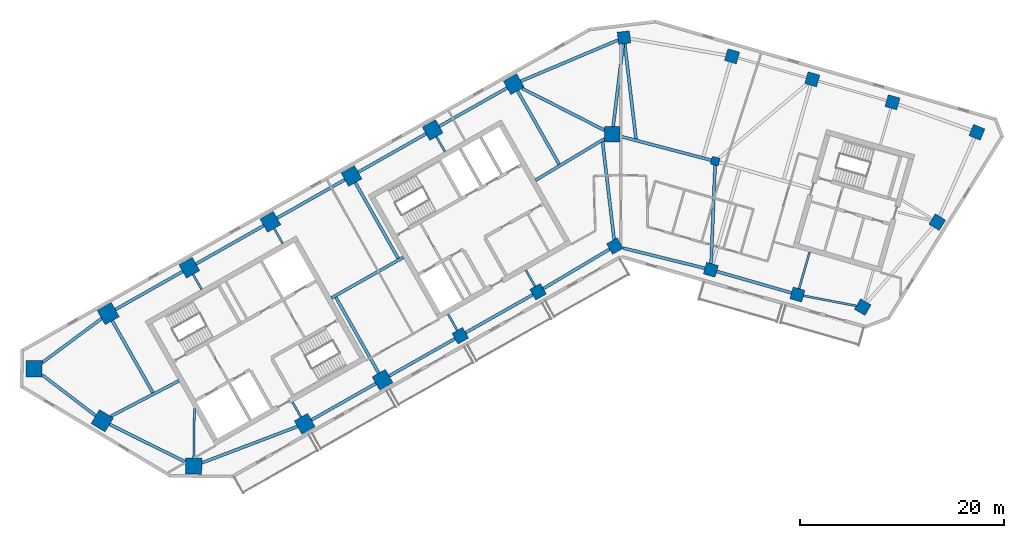
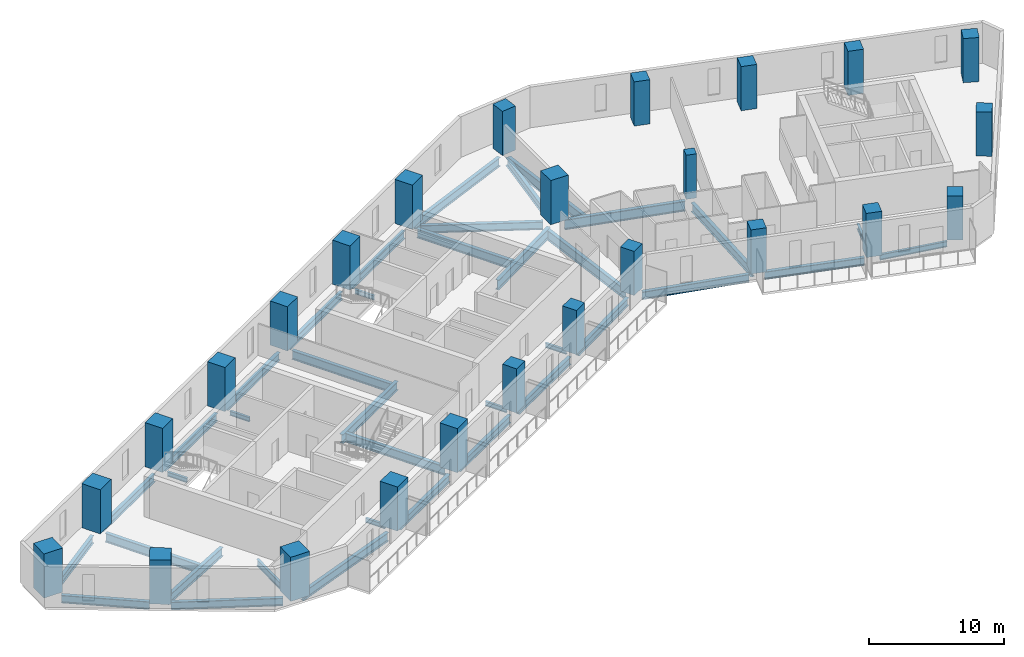
# One storey, part 1 of 9: 38 beams, 25 columns.
"""IFC4 building model written with IfcOpenShell, lengths in metres."""

from ifc_helpers import new_model, si_unit, direction, frame, origin, origin_2d, place, context, subcontext, project, spatial, rectangle, i_section, extrude, material, material_profile, profile_set, type_object, element, save


model = new_model("IFC4")

# Units and contexts
model_context = context("Model", 3, precision=1e-05, world=origin(), true_north=direction((0.0, 1.0)))
body_context = subcontext(model_context, "Body", "Model", "MODEL_VIEW")
ifc_project = project(units=[si_unit("LENGTHUNIT", "METRE"), si_unit("AREAUNIT", "SQUARE_METRE"), si_unit("VOLUMEUNIT", "CUBIC_METRE"), si_unit("PLANEANGLEUNIT", "RADIAN"), si_unit("MASSUNIT", "GRAM", prefix="KILO")], contexts=[model_context])

# Site, building, storey
site_placement = place(None, origin())
site = spatial("IfcSite", under=ifc_project, at=site_placement, CompositionType="ELEMENT")
building_placement = place(site_placement, origin())
building = spatial("IfcBuilding", under=site, at=building_placement, Name="Binnacle Exchange Tower", CompositionType="ELEMENT")
storey_placement = place(building_placement, frame((0.0, 0.0, 182.89990234375)))
storey = spatial("IfcBuildingStorey", under=building, at=storey_placement, Name="L39", CompositionType="ELEMENT", Elevation=182.89990234375)

# Columns
ifc_material_1 = material(Name="Concrete C60/75", Category="concrete")
ifc_material_profile_1 = material_profile(ifc_material_1, rectangle(XDim=0.800048828125, YDim=0.800048828125, at=origin_2d()), Name="Column 800x800 C60/75")
ifc_profile_set_1 = profile_set([ifc_material_profile_1], Name="Concrete C60/75")
column_type_1 = type_object("IfcColumnType", Name="Column 800x800 C60/75", PredefinedType="COLUMN", material=ifc_profile_set_1)
column_placement = place(storey_placement, frame((9.240966796875, 57.35009765625, 0.0), z_axis=(0.0, 0.0, 1.0), x_axis=(0.961261695938, -0.275637355817, 0.0)))
element("IfcColumn", 1, at=column_placement, inside=storey, type_object=column_type_1, Name="S:COL:C19:L39", PredefinedType="COLUMN", context=body_context, shape_type="SweptSolid", body=[
    extrude(rectangle(XDim=0.800048828125, YDim=0.800048828125, at=origin_2d()), origin(), (0.0, 0.0, 1.0), 4.0),
])
ifc_material_2 = material(Name="Concrete C70/85", Category="concrete")
ifc_material_profile_2 = material_profile(ifc_material_2, rectangle(XDim=1.199951171875, YDim=1.199951171875, at=origin_2d()), Name="Mega column 1200x1200 C70/85")
ifc_profile_set_2 = profile_set([ifc_material_profile_2], Name="Concrete C70/85")
column_type_2 = type_object("IfcColumnType", Name="Mega column 1200x1200 C70/85", PredefinedType="COLUMN", material=ifc_profile_set_2)
for number, where, z_axis, x_axis, name in (
    (2, (26.602783203125, 63.12353515625, 0.0), (0.0, 0.0, 1.0), (-0.961261695938, 0.275637355817, 0.0), "S:COL:MC52:L39"),
    (3, (18.746337890625, 65.376220703125, 0.0), (0.0, 0.0, 1.0), (-0.961261695938, 0.275637355817, 0.0), "S:COL:MC50:L39"),
    (4, (10.889892578125, 67.62890625, 0.0), (0.0, 0.0, 1.0), (-0.961261695938, 0.275637355817, 0.0), "S:COL:MC48:L39"),
    (5, (0.300048828125, 69.464111328125, 0.0), (0.0, 0.0, 1.0), (-0.993068456955, -0.117537397458, 0.0), "S:COL:MC47:L39"),
    (6, (-15.736328125, 40.257080078125, 0.0), (0.0, 0.0, 1.0), (0.87035569594, 0.492423560103, 0.0), "S:COL:MC24:L39"),
    (7, (-8.116943359375, 44.568115234375, 0.0), (0.0, 0.0, 1.0), (0.87035569594, 0.492423560103, 0.0), "S:COL:MC35:L39"),
    (8, (-0.5908203125, 49.04443359375, 0.0), (0.0, 0.0, 1.0), (0.87035569594, 0.492423560103, 0.0), "S:COL:MC46:L39"),
    (9, (8.8095703125, 46.722412109375, 0.0), (0.0, 0.0, 1.0), (0.961261695938, -0.275637355817, 0.0), "S:COL:MC49:L39"),
    (10, (17.2880859375, 44.291015625, 0.0), (0.0, 0.0, 1.0), (0.961261695938, -0.275637355817, 0.0), "S:COL:MC51:L39"),
    (11, (23.690185546875, 43.062744140625, 0.0), (0.0, 0.0, 1.0), (-0.86532642813, 0.501208711795, 0.0), "S:COL:MC53:L39"),
    (12, (30.989501953125, 51.38623046875, 0.0), (0.0, 0.0, 1.0), (0.529919264233, 0.848048096156, 0.0), "S:COL:MC55:L39"),
    (13, (34.870361328125, 60.18701171875, 0.0), (0.0, 0.0, 1.0), (-0.922814001807, 0.385245789164, 0.0), "S:COL:MC54:L39"),
):
    element("IfcColumn", number, at=place(storey_placement, frame(where, z_axis=z_axis, x_axis=x_axis)), inside=storey, type_object=column_type_2, Name=name, PredefinedType="COLUMN", context=body_context, shape_type="SweptSolid", body=[
        extrude(rectangle(XDim=1.199951171875, YDim=1.199951171875, at=origin_2d()), origin(), (0.0, 0.0, 1.0), 4.0),
    ])
ifc_material_profile_3 = material_profile(ifc_material_2, rectangle(XDim=1.5, YDim=1.5, at=origin_2d()), Name="Mega column 1500x1500 C70/85")
ifc_profile_set_3 = profile_set([ifc_material_profile_3], Name="Concrete C70/85")
column_type_3 = type_object("IfcColumnType", Name="Mega column 1500x1500 C70/85", PredefinedType="COLUMN", material=ifc_profile_set_3)
for number, where, z_axis, x_axis, name in (
    (14, (-10.4951171875, 64.901611328125, 0.0), (0.0, 0.0, 1.0), (-0.87035569594, -0.492423560103, 0.0), "S:COL:MC38:L39"),
    (15, (-18.44140625, 60.406005859375, 0.0), (0.0, 0.0, 1.0), (-0.87035569594, -0.492423560103, 0.0), "S:COL:MC29:L39"),
    (16, (-26.3876953125, 55.91015625, 0.0), (0.0, 0.0, 1.0), (-0.87035569594, -0.492423560103, 0.0), "S:COL:MC21:L39"),
    (17, (-34.333740234375, 51.414306640625, 0.0), (0.0, 0.0, 1.0), (-0.87035569594, -0.492423560103, 0.0), "S:COL:MC13:L39"),
    (18, (-42.280029296875, 46.918701171875, 0.0), (0.0, 0.0, 1.0), (-0.87035569594, -0.492423560103, 0.0), "S:COL:MC08:L39"),
    (19, (-30.9755859375, 31.63525390625, 0.0), (0.0, 0.0, 1.0), (0.87035569594, 0.492423560103, 0.0), "S:COL:MC07:L39"),
    (20, (-23.35595703125, 35.9462890625, 0.0), (0.0, 0.0, 1.0), (0.87035569594, 0.492423560103, 0.0), "S:COL:MC16:L39"),
    (21, (-0.85009765625, 60.0, 0.0), (0.0, 0.0, 1.0), (0.0, 1.0, 0.0), "S:COL:MC45:L39"),
):
    element("IfcColumn", number, at=place(storey_placement, frame(where, z_axis=z_axis, x_axis=x_axis)), inside=storey, type_object=column_type_3, Name=name, PredefinedType="COLUMN", context=body_context, shape_type="SweptSolid", body=[
        extrude(rectangle(XDim=1.5, YDim=1.5, at=origin_2d()), origin(), (0.0, 0.0, 1.0), 4.0),
    ])
ifc_material_profile_4 = material_profile(ifc_material_2, rectangle(XDim=1.60009765625, YDim=1.60009765625, at=origin_2d()), Name="Mega column 1600x1600 C70/85")
ifc_profile_set_4 = profile_set([ifc_material_profile_4], Name="Concrete C70/85")
column_type_4 = type_object("IfcColumnType", Name="Mega column 1600x1600 C70/85", PredefinedType="COLUMN", material=ifc_profile_set_4)
for number, where, z_axis, x_axis, name in (
    (22, (-50.226318359375, 42.4228515625, 0.0), (0.0, 0.0, 1.0), (-0.87035569594, -0.492423560103, 0.0), "S:COL:MC04:L39"),
    (23, (-57.492919921875, 37.02734375, 0.0), (0.0, 0.0, 1.0), (-0.013089595571, -0.999914327574, 0.0), "S:COL:MC02:L39"),
    (24, (-50.81201171875, 31.930908203125, 0.0), (0.0, 0.0, 1.0), (0.857167300702, -0.51503807491, 0.0), "S:COL:MC01:L39"),
    (25, (-41.857666015625, 27.494873046875, 0.0), (0.0, 0.0, 1.0), (0.999914327574, -0.013089595571, 0.0), "S:COL:MC03:L39"),
):
    element("IfcColumn", number, at=place(storey_placement, frame(where, z_axis=z_axis, x_axis=x_axis)), inside=storey, type_object=column_type_4, Name=name, PredefinedType="COLUMN", context=body_context, shape_type="SweptSolid", body=[
        extrude(rectangle(XDim=1.60009765625, YDim=1.60009765625, at=origin_2d()), origin(), (0.0, 0.0, 1.0), 4.0),
    ])

# Beams
ifc_material_3 = material(Name="Steel S355 (SHN355)", Category="steel")
ifc_material_profile_5 = material_profile(ifc_material_3, i_section(OverallWidth=0.200927734375, OverallDepth=0.506103515625, WebThickness=0.010986328125, FlangeThickness=0.01904296875, FilletRadius=0.02001953125, at=origin_2d()), Name="H 506x201x11x19")
ifc_profile_set_5 = profile_set([ifc_material_profile_5], Name="Steel S355 (SHN355)")
beam_type_1 = type_object("IfcBeamType", Name="Edge girder H 506x201x11x19 Steel S355 (SHN355)", PredefinedType="SPANDREL", material=ifc_profile_set_5)
beam_1_placement = place(storey_placement, frame((17.8798828125, 44.177490234375, -0.572998046875), z_axis=(0.982085171807, -0.188437563446, 0.0), x_axis=(0.188437563446, 0.982085171807, 0.0)))
element("IfcBeam", 26, at=beam_1_placement, inside=storey, type_object=beam_type_1, Name="S:BM:edge:L39:028", PredefinedType="SPANDREL", context=body_context, shape_type="SweptSolid", body=[
    extrude(i_section(OverallWidth=0.200927734375, OverallDepth=0.506103515625, WebThickness=0.010986328125, FlangeThickness=0.01904296875, FilletRadius=0.02001953125, at=origin_2d()), origin(), (0.0, 0.0, 1.0), 5.281005859375),
])
ifc_material_profile_6 = material_profile(ifc_material_3, i_section(OverallWidth=0.300048828125, OverallDepth=0.699951171875, WebThickness=0.012939453125, FlangeThickness=0.02392578125, FilletRadius=0.028076171875, at=origin_2d()), Name="H 700x300x13x24")
ifc_profile_set_6 = profile_set([ifc_material_profile_6], Name="Steel S355 (SHN355)")
beam_type_2 = type_object("IfcBeamType", Name="Edge girder H 700x300x13x24 Steel S355 (SHN355)", PredefinedType="SPANDREL", material=ifc_profile_set_6)
beam_2_placement = place(storey_placement, frame((-56.70068359375, 36.423095703125, -0.669921875), z_axis=(0.795078424379, -0.606506635649, 0.0), x_axis=(0.606506635649, 0.795078424379, 0.0)))
element("IfcBeam", 27, at=beam_2_placement, inside=storey, type_object=beam_type_2, Name="S:BM:edge:L39:011", PredefinedType="SPANDREL", context=body_context, shape_type="SweptSolid", body=[
    extrude(i_section(OverallWidth=0.300048828125, OverallDepth=0.699951171875, WebThickness=0.012939453125, FlangeThickness=0.02392578125, FilletRadius=0.028076171875, at=origin_2d()), origin(), (0.0, 0.0, 1.0), 6.6015625),
])
beam_3_placement = place(storey_placement, frame((-50.87353515625, 41.9423828125, -0.669921875), z_axis=(-0.802872533272, -0.596150732044, 0.0), x_axis=(0.596150732044, -0.802872533272, 0.0)))
element("IfcBeam", 28, at=beam_3_placement, inside=storey, type_object=beam_type_2, Name="S:BM:edge:L39:012", PredefinedType="SPANDREL", context=body_context, shape_type="SweptSolid", body=[
    extrude(i_section(OverallWidth=0.300048828125, OverallDepth=0.699951171875, WebThickness=0.012939453125, FlangeThickness=0.02392578125, FilletRadius=0.028076171875, at=origin_2d()), origin(), (0.0, 0.0, 1.0), 7.238525390625),
])
beam_4_placement = place(storey_placement, frame((-50.0927734375, 31.57470703125, -0.669921875), z_axis=(0.896061869104, -0.443929191131, 0.0), x_axis=(0.443929191131, 0.896061869104, 0.0)))
element("IfcBeam", 29, at=beam_4_placement, inside=storey, type_object=beam_type_2, Name="S:BM:edge:L39:013", PredefinedType="SPANDREL", context=body_context, shape_type="SweptSolid", body=[
    extrude(i_section(OverallWidth=0.300048828125, OverallDepth=0.699951171875, WebThickness=0.012939453125, FlangeThickness=0.02392578125, FilletRadius=0.028076171875, at=origin_2d()), origin(), (0.0, 0.0, 1.0), 8.30322265625),
])
beam_5_placement = place(storey_placement, frame((-42.932861328125, 46.54931640625, -0.669921875), z_axis=(-0.870352192811, -0.492429751811, 0.0), x_axis=(0.492429751811, -0.870352192811, 0.0)))
element("IfcBeam", 30, at=beam_5_placement, inside=storey, type_object=beam_type_2, Name="S:BM:edge:L39:014", PredefinedType="SPANDREL", context=body_context, shape_type="SweptSolid", body=[
    extrude(i_section(OverallWidth=0.300048828125, OverallDepth=0.699951171875, WebThickness=0.012939453125, FlangeThickness=0.02392578125, FilletRadius=0.028076171875, at=origin_2d()), origin(), (0.0, 0.0, 1.0), 7.57958984375),
])
beam_6_placement = place(storey_placement, frame((-34.986572265625, 51.045166015625, -0.669921875), z_axis=(-0.870355964277, -0.492423085818, 0.0), x_axis=(0.492423085818, -0.870355964277, 0.0)))
element("IfcBeam", 31, at=beam_6_placement, inside=storey, type_object=beam_type_2, Name="S:BM:edge:L39:016", PredefinedType="SPANDREL", context=body_context, shape_type="SweptSolid", body=[
    extrude(i_section(OverallWidth=0.300048828125, OverallDepth=0.699951171875, WebThickness=0.012939453125, FlangeThickness=0.02392578125, FilletRadius=0.028076171875, at=origin_2d()), origin(), (0.0, 0.0, 1.0), 7.6298828125),
])
beam_7_placement = place(storey_placement, frame((-30.32275390625, 32.004638671875, -0.669921875), z_axis=(0.870355920795, 0.492423162674, 0.0), x_axis=(-0.492423162674, 0.870355920795, 0.0)))
element("IfcBeam", 32, at=beam_7_placement, inside=storey, type_object=beam_type_2, Name="S:BM:edge:L39:017", PredefinedType="SPANDREL", context=body_context, shape_type="SweptSolid", body=[
    extrude(i_section(OverallWidth=0.300048828125, OverallDepth=0.699951171875, WebThickness=0.012939453125, FlangeThickness=0.02392578125, FilletRadius=0.028076171875, at=origin_2d()), origin(), (0.0, 0.0, 1.0), 7.25439453125),
])
beam_8_placement = place(storey_placement, frame((-27.040283203125, 55.541015625, -0.669921875), z_axis=(-0.870342250182, -0.492447324643, 0.0), x_axis=(0.492447324643, -0.870342250182, 0.0)))
element("IfcBeam", 33, at=beam_8_placement, inside=storey, type_object=beam_type_2, Name="S:BM:edge:L39:018", PredefinedType="SPANDREL", context=body_context, shape_type="SweptSolid", body=[
    extrude(i_section(OverallWidth=0.300048828125, OverallDepth=0.699951171875, WebThickness=0.012939453125, FlangeThickness=0.02392578125, FilletRadius=0.028076171875, at=origin_2d()), origin(), (0.0, 0.0, 1.0), 7.6298828125),
])
beam_9_placement = place(storey_placement, frame((-22.703125, 36.3154296875, -0.669921875), z_axis=(0.87035151347, 0.49243095252, 0.0), x_axis=(-0.49243095252, 0.87035151347, 0.0)))
element("IfcBeam", 34, at=beam_9_placement, inside=storey, type_object=beam_type_2, Name="S:BM:edge:L39:019", PredefinedType="SPANDREL", context=body_context, shape_type="SweptSolid", body=[
    extrude(i_section(OverallWidth=0.300048828125, OverallDepth=0.699951171875, WebThickness=0.012939453125, FlangeThickness=0.02392578125, FilletRadius=0.028076171875, at=origin_2d()), origin(), (0.0, 0.0, 1.0), 7.404541015625),
])
beam_10_placement = place(storey_placement, frame((-19.093994140625, 60.03662109375, -0.669921875), z_axis=(-0.870363722936, -0.492409372165, 0.0), x_axis=(0.492409372165, -0.870363722936, 0.0)))
element("IfcBeam", 35, at=beam_10_placement, inside=storey, type_object=beam_type_2, Name="S:BM:edge:L39:020", PredefinedType="SPANDREL", context=body_context, shape_type="SweptSolid", body=[
    extrude(i_section(OverallWidth=0.300048828125, OverallDepth=0.699951171875, WebThickness=0.012939453125, FlangeThickness=0.02392578125, FilletRadius=0.028076171875, at=origin_2d()), origin(), (0.0, 0.0, 1.0), 7.6298828125),
])
beam_11_placement = place(storey_placement, frame((-15.214111328125, 40.552734375, -0.669921875), z_axis=(0.870353295418, 0.492427802988, 0.0), x_axis=(-0.492427802988, 0.870353295418, 0.0)))
element("IfcBeam", 36, at=beam_11_placement, inside=storey, type_object=beam_type_2, Name="S:BM:edge:L39:021", PredefinedType="SPANDREL", context=body_context, shape_type="SweptSolid", body=[
    extrude(i_section(OverallWidth=0.300048828125, OverallDepth=0.699951171875, WebThickness=0.012939453125, FlangeThickness=0.02392578125, FilletRadius=0.028076171875, at=origin_2d()), origin(), (0.0, 0.0, 1.0), 7.554443359375),
])
beam_12_placement = place(storey_placement, frame((-11.14794921875, 64.532470703125, -0.669921875), z_axis=(-0.870355964277, -0.492423085818, 0.0), x_axis=(0.492423085818, -0.870355964277, 0.0)))
element("IfcBeam", 37, at=beam_12_placement, inside=storey, type_object=beam_type_2, Name="S:BM:edge:L39:022", PredefinedType="SPANDREL", context=body_context, shape_type="SweptSolid", body=[
    extrude(i_section(OverallWidth=0.300048828125, OverallDepth=0.699951171875, WebThickness=0.012939453125, FlangeThickness=0.02392578125, FilletRadius=0.028076171875, at=origin_2d()), origin(), (0.0, 0.0, 1.0), 7.6298828125),
])
beam_13_placement = place(storey_placement, frame((-7.60107421875, 44.875, -0.669921875), z_axis=(0.85946222832, 0.511199254783, 0.0), x_axis=(-0.511199254783, 0.85946222832, 0.0)))
element("IfcBeam", 38, at=beam_13_placement, inside=storey, type_object=beam_type_2, Name="S:BM:edge:L39:023", PredefinedType="SPANDREL", context=body_context, shape_type="SweptSolid", body=[
    extrude(i_section(OverallWidth=0.300048828125, OverallDepth=0.699951171875, WebThickness=0.012939453125, FlangeThickness=0.02392578125, FilletRadius=0.028076171875, at=origin_2d()), origin(), (0.0, 0.0, 1.0), 7.556396484375),
])
beam_14_placement = place(storey_placement, frame((0.21044921875, 48.846435546875, -0.669921875), z_axis=(0.970817017645, -0.239821429924, 0.0), x_axis=(0.239821429924, 0.970817017645, 0.0)))
element("IfcBeam", 39, at=beam_14_placement, inside=storey, type_object=beam_type_2, Name="S:BM:edge:L39:025", PredefinedType="SPANDREL", context=body_context, shape_type="SweptSolid", body=[
    extrude(i_section(OverallWidth=0.300048828125, OverallDepth=0.699951171875, WebThickness=0.012939453125, FlangeThickness=0.02392578125, FilletRadius=0.028076171875, at=origin_2d()), origin(), (0.0, 0.0, 1.0), 8.257080078125),
])
beam_15_placement = place(storey_placement, frame((9.38623046875, 46.556884765625, -0.669921875), z_axis=(0.961266012815, -0.275622300635, 0.0), x_axis=(0.275622300635, 0.961266012815, 0.0)))
element("IfcBeam", 40, at=beam_15_placement, inside=storey, type_object=beam_type_2, Name="S:BM:edge:L39:026", PredefinedType="SPANDREL", context=body_context, shape_type="SweptSolid", body=[
    extrude(i_section(OverallWidth=0.300048828125, OverallDepth=0.699951171875, WebThickness=0.012939453125, FlangeThickness=0.02392578125, FilletRadius=0.028076171875, at=origin_2d()), origin(), (0.0, 0.0, 1.0), 7.620361328125),
])
ifc_material_profile_7 = material_profile(ifc_material_3, i_section(OverallWidth=0.300048828125, OverallDepth=0.800048828125, WebThickness=0.013916015625, FlangeThickness=0.02587890625, FilletRadius=0.028076171875, at=origin_2d()), Name="H 800x300x14x26")
ifc_profile_set_7 = profile_set([ifc_material_profile_7], Name="Steel S355 (SHN355)")
beam_type_3 = type_object("IfcBeamType", Name="Edge girder H 800x300x14x26 Steel S355 (SHN355)", PredefinedType="SPANDREL", material=ifc_profile_set_7)
beam_16_placement = place(storey_placement, frame((-41.0537109375, 27.80078125, -0.719970703125), z_axis=(0.934633884233, 0.355611448695, 0.0), x_axis=(-0.355611448695, 0.934633884233, 0.0)))
element("IfcBeam", 41, at=beam_16_placement, inside=storey, type_object=beam_type_3, Name="S:BM:edge:L39:015", PredefinedType="SPANDREL", context=body_context, shape_type="SweptSolid", body=[
    extrude(i_section(OverallWidth=0.300048828125, OverallDepth=0.800048828125, WebThickness=0.013916015625, FlangeThickness=0.02587890625, FilletRadius=0.028076171875, at=origin_2d()), origin(), (0.0, 0.0, 1.0), 10.024169921875),
])
beam_17_placement = place(storey_placement, frame((-0.275390625, 69.220947265625, -0.719970703125), z_axis=(-0.921111875234, -0.389297974953, 0.0), x_axis=(0.389297974953, -0.921111875234, 0.0)))
element("IfcBeam", 42, at=beam_17_placement, inside=storey, type_object=beam_type_3, Name="S:BM:edge:L39:024", PredefinedType="SPANDREL", context=body_context, shape_type="SweptSolid", body=[
    extrude(i_section(OverallWidth=0.300048828125, OverallDepth=0.800048828125, WebThickness=0.013916015625, FlangeThickness=0.02587890625, FilletRadius=0.028076171875, at=origin_2d()), origin(), (0.0, 0.0, 1.0), 10.340087890625),
])
ifc_material_profile_8 = material_profile(ifc_material_3, i_section(OverallWidth=0.199951171875, OverallDepth=0.39990234375, WebThickness=0.008056640625, FlangeThickness=0.012939453125, FilletRadius=0.01611328125, at=origin_2d()), Name="H 400x200x8x13")
ifc_profile_set_8 = profile_set([ifc_material_profile_8], Name="Steel S355 (SHN355)")
beam_type_4 = type_object("IfcBeamType", Name="Floor beam H 400x200x8x13 Steel S355 (SHN355)", PredefinedType="BEAM", material=ifc_profile_set_8)
beam_18_placement = place(storey_placement, frame((-41.91064453125, 46.265869140625, -0.52001953125), z_axis=(0.49243456751, -0.870349468157, 0.0), x_axis=(0.870349468157, 0.49243456751, 0.0)))
element("IfcBeam", 43, at=beam_18_placement, inside=storey, type_object=beam_type_4, Name="S:BM:cross:L39:035", PredefinedType="BEAM", context=body_context, shape_type="SweptSolid", body=[
    extrude(i_section(OverallWidth=0.199951171875, OverallDepth=0.39990234375, WebThickness=0.008056640625, FlangeThickness=0.012939453125, FilletRadius=0.01611328125, at=origin_2d()), origin(), (0.0, 0.0, 1.0), 1.68408203125),
])
beam_19_placement = place(storey_placement, frame((-33.964599609375, 50.76171875, -0.52001953125), z_axis=(0.492482237839, -0.870322495063, 0.0), x_axis=(0.870322495063, 0.492482237839, 0.0)))
element("IfcBeam", 44, at=beam_19_placement, inside=storey, type_object=beam_type_4, Name="S:BM:cross:L39:037", PredefinedType="BEAM", context=body_context, shape_type="SweptSolid", body=[
    extrude(i_section(OverallWidth=0.199951171875, OverallDepth=0.39990234375, WebThickness=0.008056640625, FlangeThickness=0.012939453125, FilletRadius=0.01611328125, at=origin_2d()), origin(), (0.0, 0.0, 1.0), 1.6845703125),
])
for number, where, z_axis, x_axis, name in (
    (45, (-31.344970703125, 32.2880859375, -0.52001953125), (-0.49243456751, 0.870349468157, 0.0), (-0.870349468157, -0.49243456751, 0.0), "S:BM:cross:L39:038"),
    (46, (-18.072021484375, 59.753173828125, -0.52001953125), (0.49243456751, -0.870349468157, 0.0), (0.870349468157, 0.49243456751, 0.0), "S:BM:cross:L39:041"),
):
    element("IfcBeam", number, at=place(storey_placement, frame(where, z_axis=z_axis, x_axis=x_axis)), inside=storey, type_object=beam_type_4, Name=name, PredefinedType="BEAM", context=body_context, shape_type="SweptSolid", body=[
        extrude(i_section(OverallWidth=0.199951171875, OverallDepth=0.39990234375, WebThickness=0.008056640625, FlangeThickness=0.012939453125, FilletRadius=0.01611328125, at=origin_2d()), origin(), (0.0, 0.0, 1.0), 1.68408203125),
    ])
beam_20_placement = place(storey_placement, frame((-16.031982421875, 40.779296875, -0.52001953125), z_axis=(-0.492307212856, 0.870421511781, 0.0), x_axis=(-0.870421511781, -0.492307212856, 0.0)))
element("IfcBeam", 47, at=beam_20_placement, inside=storey, type_object=beam_type_4, Name="S:BM:cross:L39:042", PredefinedType="BEAM", context=body_context, shape_type="SweptSolid", body=[
    extrude(i_section(OverallWidth=0.199951171875, OverallDepth=0.39990234375, WebThickness=0.008056640625, FlangeThickness=0.012939453125, FilletRadius=0.01611328125, at=origin_2d()), origin(), (0.0, 0.0, 1.0), 1.83447265625),
])
beam_21_placement = place(storey_placement, frame((-8.412353515625, 45.09033203125, -0.52001953125), z_axis=(-0.492465079532, 0.87033220407, 0.0), x_axis=(-0.87033220407, -0.492465079532, 0.0)))
element("IfcBeam", 48, at=beam_21_placement, inside=storey, type_object=beam_type_4, Name="S:BM:cross:L39:044", PredefinedType="BEAM", context=body_context, shape_type="SweptSolid", body=[
    extrude(i_section(OverallWidth=0.199951171875, OverallDepth=0.39990234375, WebThickness=0.008056640625, FlangeThickness=0.012939453125, FilletRadius=0.01611328125, at=origin_2d()), origin(), (0.0, 0.0, 1.0), 1.834228515625),
])
ifc_material_profile_9 = material_profile(ifc_material_3, i_section(OverallWidth=0.199951171875, OverallDepth=0.5, WebThickness=0.010009765625, FlangeThickness=0.01611328125, FilletRadius=0.02001953125, at=origin_2d()), Name="H 500x200x10x16")
ifc_profile_set_9 = profile_set([ifc_material_profile_9], Name="Steel S355 (SHN355)")
beam_type_5 = type_object("IfcBeamType", Name="Floor beam H 500x200x10x16 Steel S355 (SHN355)", PredefinedType="BEAM", material=ifc_profile_set_9)
beam_22_placement = place(storey_placement, frame((17.45361328125, 44.867919921875, -0.56982421875), z_axis=(0.275644746045, 0.961259576794, 0.0), x_axis=(-0.961259576794, 0.275644746045, 0.0)))
element("IfcBeam", 49, at=beam_22_placement, inside=storey, type_object=beam_type_5, Name="S:BM:cross:L39:049", PredefinedType="BEAM", context=body_context, shape_type="SweptSolid", body=[
    extrude(i_section(OverallWidth=0.199951171875, OverallDepth=0.5, WebThickness=0.010009765625, FlangeThickness=0.01611328125, FilletRadius=0.02001953125, at=origin_2d()), origin(), (0.0, 0.0, 1.0), 3.735107421875),
])
ifc_material_profile_10 = material_profile(ifc_material_3, i_section(OverallWidth=0.200927734375, OverallDepth=0.60595703125, WebThickness=0.011962890625, FlangeThickness=0.02001953125, FilletRadius=0.02197265625, at=origin_2d()), Name="H 606x201x12x20")
ifc_profile_set_10 = profile_set([ifc_material_profile_10], Name="Steel S355 (SHN355)")
beam_type_6 = type_object("IfcBeamType", Name="Floor beam H 606x201x12x20 Steel S355 (SHN355)", PredefinedType="BEAM", material=ifc_profile_set_10)
beam_23_placement = place(storey_placement, frame((-41.84716796875, 28.294677734375, -0.622802734375), z_axis=(0.013085908175, 0.999914375838, 0.0), x_axis=(-0.999914375838, 0.013085908175, 0.0)))
element("IfcBeam", 50, at=beam_23_placement, inside=storey, type_object=beam_type_6, Name="S:BM:cross:L39:036", PredefinedType="BEAM", context=body_context, shape_type="SweptSolid", body=[
    extrude(i_section(OverallWidth=0.200927734375, OverallDepth=0.60595703125, WebThickness=0.011962890625, FlangeThickness=0.02001953125, FilletRadius=0.02197265625, at=origin_2d()), origin(), (0.0, 0.0, 1.0), 4.850830078125),
])
ifc_material_profile_11 = material_profile(ifc_material_3, i_section(OverallWidth=0.302001953125, OverallDepth=0.80810546875, WebThickness=0.01611328125, FlangeThickness=0.030029296875, FilletRadius=0.028076171875, at=origin_2d()), Name="H 808x302x16x30")
ifc_profile_set_11 = profile_set([ifc_material_profile_11], Name="Steel S355 (SHN355)")
beam_type_7 = type_object("IfcBeamType", Name="Floor beam H 808x302x16x30 Steel S355 (SHN355)", PredefinedType="BEAM", material=ifc_profile_set_11)
beam_24_placement = place(storey_placement, frame((-49.832275390625, 41.7265625, -0.723876953125), z_axis=(0.492430056331, -0.870352020519, 0.0), x_axis=(0.870352020519, 0.492430056331, 0.0)))
element("IfcBeam", 51, at=beam_24_placement, inside=storey, type_object=beam_type_7, Name="S:BM:cross:L39:034", PredefinedType="BEAM", context=body_context, shape_type="SweptSolid", body=[
    extrude(i_section(OverallWidth=0.302001953125, OverallDepth=0.80810546875, WebThickness=0.01611328125, FlangeThickness=0.030029296875, FilletRadius=0.028076171875, at=origin_2d()), origin(), (0.0, 0.0, 1.0), 8.09130859375),
])
for number, where, z_axis, x_axis, name in (
    (52, (-26.018310546875, 55.25732421875, -0.723876953125), (0.4924220214, -0.870356566495, 0.0), (0.870356566495, 0.4924220214, 0.0), "S:BM:cross:L39:039"),
    (53, (-23.725341796875, 36.59912109375, -0.723876953125), (-0.4924220214, 0.870356566495, 0.0), (-0.870356566495, -0.4924220214, 0.0), "S:BM:cross:L39:040"),
):
    element("IfcBeam", number, at=place(storey_placement, frame(where, z_axis=z_axis, x_axis=x_axis)), inside=storey, type_object=beam_type_7, Name=name, PredefinedType="BEAM", context=body_context, shape_type="SweptSolid", body=[
        extrude(i_section(OverallWidth=0.302001953125, OverallDepth=0.80810546875, WebThickness=0.01611328125, FlangeThickness=0.030029296875, FilletRadius=0.028076171875, at=origin_2d()), origin(), (0.0, 0.0, 1.0), 8.5341796875),
    ])
beam_25_placement = place(storey_placement, frame((-10.125732421875, 64.248779296875, -0.723876953125), z_axis=(0.492423973828, -0.870355461866, 0.0), x_axis=(0.870355461866, 0.492423973828, 0.0)))
element("IfcBeam", 54, at=beam_25_placement, inside=storey, type_object=beam_type_7, Name="S:BM:cross:L39:043", PredefinedType="BEAM", context=body_context, shape_type="SweptSolid", body=[
    extrude(i_section(OverallWidth=0.302001953125, OverallDepth=0.80810546875, WebThickness=0.01611328125, FlangeThickness=0.030029296875, FilletRadius=0.028076171875, at=origin_2d()), origin(), (0.0, 0.0, 1.0), 8.269287109375),
])
ifc_material_profile_12 = material_profile(ifc_material_3, i_section(OverallWidth=0.302001953125, OverallDepth=0.912109375, WebThickness=0.01806640625, FlangeThickness=0.033935546875, FilletRadius=0.028076171875, at=origin_2d()), Name="H 912x302x18x34")
ifc_profile_set_12 = profile_set([ifc_material_profile_12], Name="Steel S355 (SHN355)")
beam_type_8 = type_object("IfcBeamType", Name="Floor beam H 912x302x18x34 Steel S355 (SHN355)", PredefinedType="BEAM", material=ifc_profile_set_12)
beam_26_placement = place(storey_placement, frame((-0.66748046875, 49.690673828125, -0.77587890625), z_axis=(-0.117518220547, 0.993070726504, 0.0), x_axis=(-0.993070726504, -0.117518220547, 0.0)))
element("IfcBeam", 55, at=beam_26_placement, inside=storey, type_object=beam_type_8, Name="S:BM:cross:L39:045", PredefinedType="BEAM", context=body_context, shape_type="SweptSolid", body=[
    extrude(i_section(OverallWidth=0.302001953125, OverallDepth=0.912109375, WebThickness=0.01806640625, FlangeThickness=0.033935546875, FilletRadius=0.028076171875, at=origin_2d()), origin(), (0.0, 0.0, 1.0), 9.645751953125),
])
beam_27_placement = place(storey_placement, frame((0.37060546875, 68.868408203125, -0.77587890625), z_axis=(0.117552497625, -0.993066669616, 0.0), x_axis=(0.993066669616, 0.117552497625, 0.0)))
element("IfcBeam", 56, at=beam_27_placement, inside=storey, type_object=beam_type_8, Name="S:BM:cross:L39:046", PredefinedType="BEAM", context=body_context, shape_type="SweptSolid", body=[
    extrude(i_section(OverallWidth=0.302001953125, OverallDepth=0.912109375, WebThickness=0.01806640625, FlangeThickness=0.033935546875, FilletRadius=0.028076171875, at=origin_2d()), origin(), (0.0, 0.0, 1.0), 9.39990234375),
])
ifc_material_profile_13 = material_profile(ifc_material_3, i_section(OverallWidth=0.300048828125, OverallDepth=0.699951171875, WebThickness=0.012939453125, FlangeThickness=0.02392578125, FilletRadius=0.028076171875, at=origin_2d()), Name="H 700x300x13x24")
ifc_profile_set_13 = profile_set([ifc_material_profile_13], Name="Steel S355 (SHN355)")
beam_type_9 = type_object("IfcBeamType", Name="Spine girder H 700x300x13x24 Steel S355 (SHN355)", PredefinedType="BEAM", material=ifc_profile_set_13)
beam_28_placement = place(storey_placement, frame((-0.7587890625, 60.75, -0.669921875), z_axis=(0.120620829002, 0.992698652971, 0.0), x_axis=(-0.992698652971, 0.120620829002, 0.0)))
element("IfcBeam", 57, at=beam_28_placement, inside=storey, type_object=beam_type_9, Name="S:BM:spine:L39:005", PredefinedType="BEAM", context=body_context, shape_type="SweptSolid", body=[
    extrude(i_section(OverallWidth=0.300048828125, OverallDepth=0.699951171875, WebThickness=0.012939453125, FlangeThickness=0.02392578125, FilletRadius=0.028076171875, at=origin_2d()), origin(), (0.0, 0.0, 1.0), 8.160888671875),
])
ifc_material_profile_14 = material_profile(ifc_material_3, i_section(OverallWidth=0.302001953125, OverallDepth=0.7080078125, WebThickness=0.014892578125, FlangeThickness=0.028076171875, FilletRadius=0.028076171875, at=origin_2d()), Name="H 708x302x15x28")
ifc_profile_set_14 = profile_set([ifc_material_profile_14], Name="Steel S355 (SHN355)")
beam_type_10 = type_object("IfcBeamType", Name="Spine girder H 708x302x15x28 Steel S355 (SHN355)", PredefinedType="BEAM", material=ifc_profile_set_14)
beam_29_placement = place(storey_placement, frame((-1.60009765625, 60.381103515625, -0.673828125), z_axis=(-0.891476459322, 0.453067017641, 0.0), x_axis=(-0.453067017641, -0.891476459322, 0.0)))
element("IfcBeam", 58, at=beam_29_placement, inside=storey, type_object=beam_type_10, Name="S:BM:spine:L39:004", PredefinedType="BEAM", context=body_context, shape_type="SweptSolid", body=[
    extrude(i_section(OverallWidth=0.302001953125, OverallDepth=0.7080078125, WebThickness=0.014892578125, FlangeThickness=0.028076171875, FilletRadius=0.028076171875, at=origin_2d()), origin(), (0.0, 0.0, 1.0), 9.07763671875),
])
ifc_material_profile_15 = material_profile(ifc_material_3, i_section(OverallWidth=0.302001953125, OverallDepth=0.80810546875, WebThickness=0.01611328125, FlangeThickness=0.030029296875, FilletRadius=0.028076171875, at=origin_2d()), Name="H 808x302x16x30")
ifc_profile_set_15 = profile_set([ifc_material_profile_15], Name="Steel S355 (SHN355)")
beam_type_11 = type_object("IfcBeamType", Name="Spine girder H 808x302x16x30 Steel S355 (SHN355)", PredefinedType="BEAM", material=ifc_profile_set_15)
beam_30_placement = place(storey_placement, frame((-49.979736328125, 32.3642578125, -0.723876953125), z_axis=(0.886978621009, 0.461810486968, 0.0), x_axis=(-0.461810486968, 0.886978621009, 0.0)))
element("IfcBeam", 59, at=beam_30_placement, inside=storey, type_object=beam_type_11, Name="S:BM:spine:L39:001", PredefinedType="BEAM", context=body_context, shape_type="SweptSolid", body=[
    extrude(i_section(OverallWidth=0.302001953125, OverallDepth=0.80810546875, WebThickness=0.01611328125, FlangeThickness=0.030029296875, FilletRadius=0.028076171875, at=origin_2d()), origin(), (0.0, 0.0, 1.0), 7.522216796875),
])
beam_31_placement = place(storey_placement, frame((-28.365478515625, 43.951416015625, -0.723876953125), z_axis=(0.870350319004, 0.492433063684, 0.0), x_axis=(-0.492433063684, 0.870350319004, 0.0)))
element("IfcBeam", 60, at=beam_31_placement, inside=storey, type_object=beam_type_11, Name="S:BM:spine:L39:002", PredefinedType="BEAM", context=body_context, shape_type="SweptSolid", body=[
    extrude(i_section(OverallWidth=0.302001953125, OverallDepth=0.80810546875, WebThickness=0.01611328125, FlangeThickness=0.030029296875, FilletRadius=0.028076171875, at=origin_2d()), origin(), (0.0, 0.0, 1.0), 8.0908203125),
])
beam_32_placement = place(storey_placement, frame((9.22412109375, 56.93896484375, -0.723876953125), z_axis=(-0.040556634715, -0.999177241224, 0.0), x_axis=(0.999177241224, -0.040556634715, 0.0)))
element("IfcBeam", 61, at=beam_32_placement, inside=storey, type_object=beam_type_11, Name="S:BM:spine:L39:007", PredefinedType="BEAM", context=body_context, shape_type="SweptSolid", body=[
    extrude(i_section(OverallWidth=0.302001953125, OverallDepth=0.80810546875, WebThickness=0.01611328125, FlangeThickness=0.030029296875, FilletRadius=0.028076171875, at=origin_2d()), origin(), (0.0, 0.0, 1.0), 9.607421875),
])
ifc_material_profile_16 = material_profile(ifc_material_3, i_section(OverallWidth=0.302001953125, OverallDepth=0.912109375, WebThickness=0.01806640625, FlangeThickness=0.033935546875, FilletRadius=0.028076171875, at=origin_2d()), Name="H 912x302x18x34")
ifc_profile_set_16 = profile_set([ifc_material_profile_16], Name="Steel S355 (SHN355)")
beam_type_12 = type_object("IfcBeamType", Name="Spine girder H 912x302x18x34 Steel S355 (SHN355)", PredefinedType="BEAM", material=ifc_profile_set_16)
beam_33_placement = place(storey_placement, frame((-8.36328125, 55.489990234375, -0.77587890625), z_axis=(0.857386401747, 0.514673253724, 0.0), x_axis=(-0.514673253724, 0.857386401747, 0.0)))
element("IfcBeam", 62, at=beam_33_placement, inside=storey, type_object=beam_type_12, Name="S:BM:spine:L39:003", PredefinedType="BEAM", context=body_context, shape_type="SweptSolid", body=[
    extrude(i_section(OverallWidth=0.302001953125, OverallDepth=0.912109375, WebThickness=0.01806640625, FlangeThickness=0.033935546875, FilletRadius=0.028076171875, at=origin_2d()), origin(), (0.0, 0.0, 1.0), 7.88818359375),
])
beam_34_placement = place(storey_placement, frame((-0.10009765625, 59.802978515625, -0.77587890625), z_axis=(0.967214448634, -0.253961041017, 0.0), x_axis=(0.253961041017, 0.967214448634, 0.0)))
element("IfcBeam", 63, at=beam_34_placement, inside=storey, type_object=beam_type_12, Name="S:BM:spine:L39:006", PredefinedType="BEAM", context=body_context, shape_type="SweptSolid", body=[
    extrude(i_section(OverallWidth=0.302001953125, OverallDepth=0.912109375, WebThickness=0.01806640625, FlangeThickness=0.033935546875, FilletRadius=0.028076171875, at=origin_2d()), origin(), (0.0, 0.0, 1.0), 9.257568359375),
])

save(model, "model.ifc")
